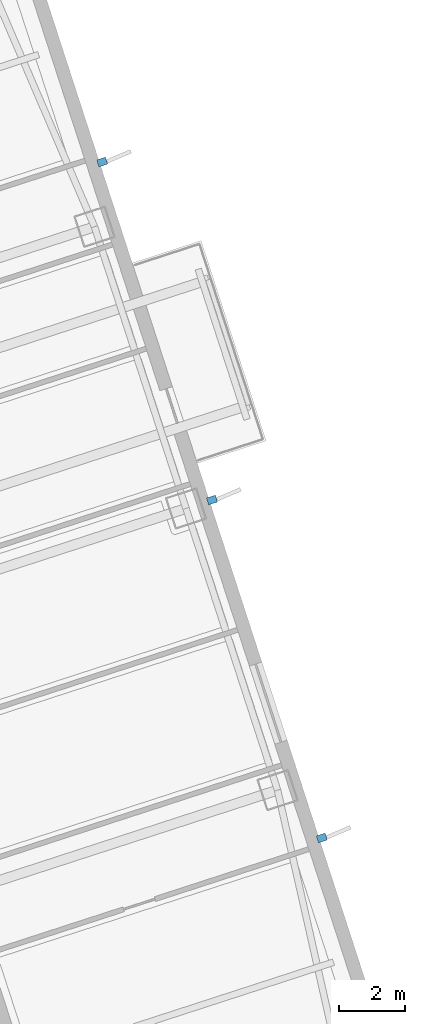
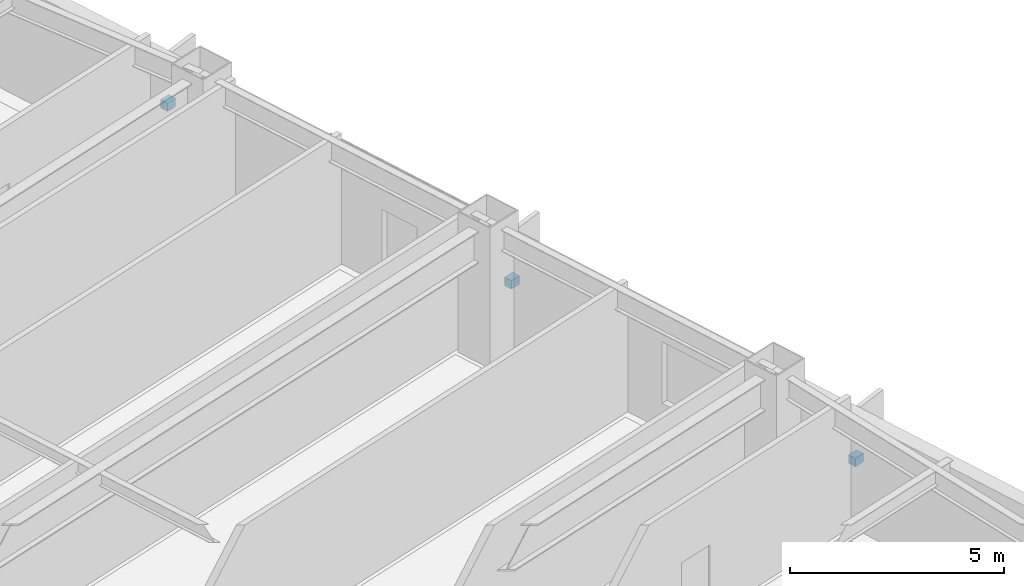
# One storey, part 12 of 21: 3 discrete accessories.
"""IFC4 building model written with IfcOpenShell, lengths in metres."""

from ifc_helpers import new_model, si_unit, direction, frame, origin, origin_2d, place, context, subcontext, project, spatial, rectangle, extrude, material, type_object, element, save


model = new_model("IFC4")

# Units and contexts
model_context = context("Model", 3, precision=1e-05, world=origin(), true_north=direction((0.0, 1.0)))
body_context = subcontext(model_context, "Body", "Model", "MODEL_VIEW")
ifc_project = project(units=[si_unit("LENGTHUNIT", "METRE"), si_unit("AREAUNIT", "SQUARE_METRE"), si_unit("VOLUMEUNIT", "CUBIC_METRE"), si_unit("PLANEANGLEUNIT", "RADIAN"), si_unit("MASSUNIT", "GRAM", prefix="KILO")], contexts=[model_context])

# Site, building, storey
site_placement = place(None, origin())
site = spatial("IfcSite", under=ifc_project, at=site_placement, CompositionType="ELEMENT")
building_placement = place(site_placement, origin())
building = spatial("IfcBuilding", under=site, at=building_placement, Name="Qiaolan Cultural Towers", CompositionType="ELEMENT")
storey_placement = place(building_placement, frame((0.0, 0.0, 34.0)))
storey = spatial("IfcBuildingStorey", under=building, at=storey_placement, Name="L07", CompositionType="ELEMENT", Elevation=34.0)

# Discrete accessories
ifc_material = material(Name="Stainless Steel S31608 Facade Anchor Bracket", Category="steel")
discrete_accessory_type = type_object("IfcDiscreteAccessoryType", Name="ACC-BRK-SS", PredefinedType="BRACKET", material=ifc_material)
for number, where, z_axis, x_axis, name in (
    (1, (111.673828125, 29.6865234375, 1.4599609375), (0.0, 0.0, 1.0), (0.951056516295, 0.309016994375, 0.0), "L07 T2 Facade Fin Anchor Bracket E1"),
    (2, (108.33642578125, 39.957763671875, 1.4599609375), (0.0, 0.0, 1.0), (0.951056516295, 0.309016994375, 0.0), "L07 T2 Facade Fin Anchor Bracket E2"),
    (3, (104.9990234375, 50.229248046875, 1.4599609375), (0.0, 0.0, 1.0), (0.951056516295, 0.309016994375, 0.0), "L07 T2 Facade Fin Anchor Bracket E3"),
):
    element("IfcDiscreteAccessory", number, at=place(storey_placement, frame(where, z_axis=z_axis, x_axis=x_axis)), inside=storey, type_object=discrete_accessory_type, Name=name, PredefinedType="BRACKET", context=body_context, shape_type="SweptSolid", body=[
        extrude(rectangle(XDim=0.280029296875, YDim=0.219970703125, at=origin_2d()), origin(), (0.0, 0.0, 1.0), 0.239990234375),
    ])

save(model, "model.ifc")
